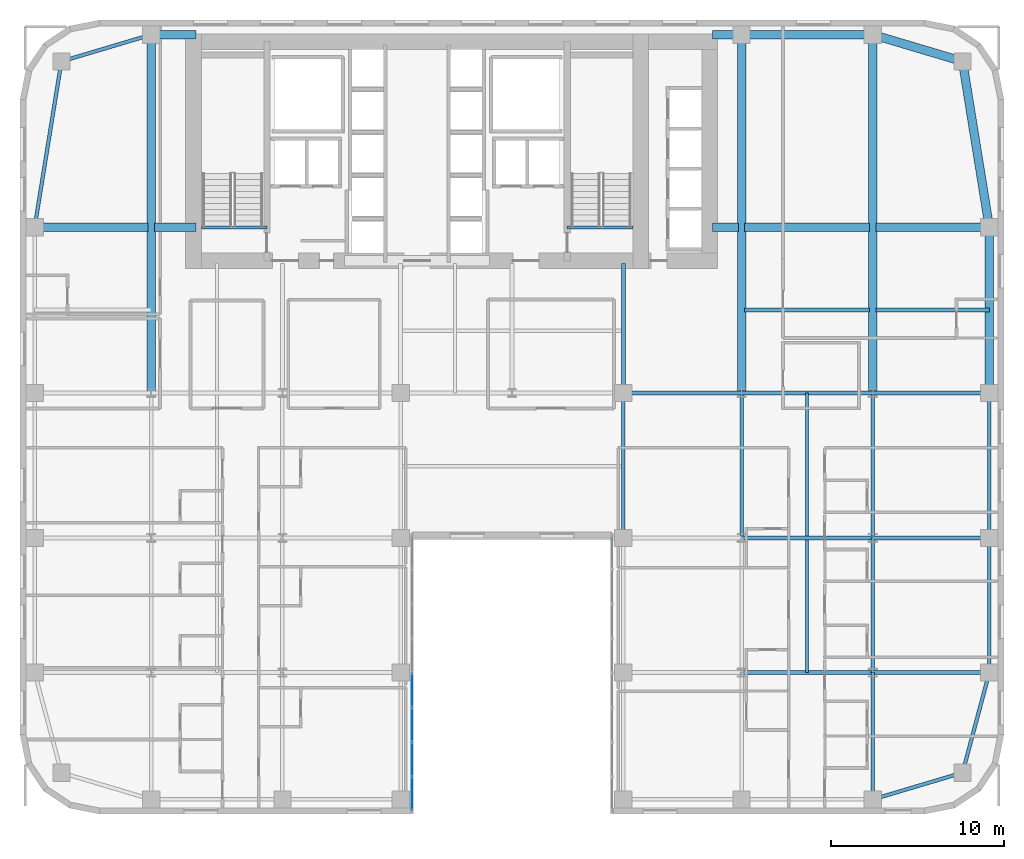
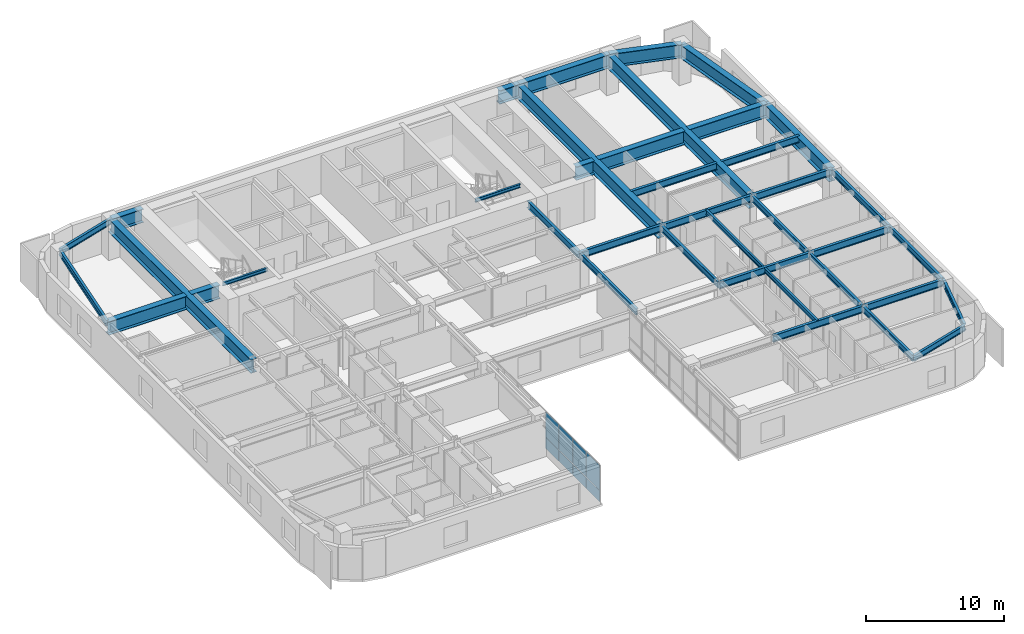
# One storey, part 8 of 17: 39 beams, 8 plates, 1 element without a shape of its own.
"""IFC4 building model written with IfcOpenShell, lengths in metres."""

import ifcopenshell
import ifcopenshell.guid

model = None  # the IFC model being written
_history = None  # IfcOwnerHistory: only IFC2X3 demands one
_inside = {}  # id of a spatial element -> (the spatial element, [elements in it])
_under = {}  # id of a project, library or spatial element -> (it, [spatial elements below it])
_declared = {}  # id of a project -> (the project, [libraries it declares])
_typed = {}  # id of a type object -> (the type object, [elements of that type])
_made_of = {}  # id of a material, layer set ... -> (it, [elements and type objects made of it])


def new_model(schema):
    """Start an empty IFC model of exactly this schema.

    Asked for "IFC4X3", IfcOpenShell would pick the latest addendum, in which some entities
    have other attributes; the version numbers below select the first issue.
    IFC2X3 requires an IfcOwnerHistory on every rooted entity: one is made here for all.
    """
    global model, _history
    if schema == "IFC4X3":
        model = ifcopenshell.file(schema_version=(4, 3, 0, 0))
    else:
        model = ifcopenshell.file(schema=schema)
    _inside.clear()
    _under.clear()
    _declared.clear()
    _typed.clear()
    _made_of.clear()
    _history = None
    if model.schema == "IFC2X3":
        org = make("IfcOrganization", Name="unknown")
        user = make(
            "IfcPersonAndOrganization",
            ThePerson=make("IfcPerson", FamilyName="unknown"),
            TheOrganization=org,
        )
        app = make(
            "IfcApplication",
            ApplicationDeveloper=org,
            Version="unknown",
            ApplicationFullName="unknown",
            ApplicationIdentifier="unknown",
        )
        _history = make(
            "IfcOwnerHistory",
            OwningUser=user,
            OwningApplication=app,
            ChangeAction="ADDED",
            CreationDate=0,
        )
    return model


def make(cls, **values):
    """One entity of the class cls with the attributes given. An attribute that is None is left unset."""
    return model.create_entity(
        cls, **{name: value for name, value in values.items() if value is not None}
    )


def rooted(cls, **values):
    """An entity with a GlobalId (a new one), such as an element, a storey or a relation."""
    return make(cls, GlobalId=ifcopenshell.guid.new(), OwnerHistory=_history, **values)


def si_unit(unit_type, name, prefix=None):
    """IfcSIUnit, for example si_unit("LENGTHUNIT", "METRE", prefix="MILLI")."""
    return make("IfcSIUnit", UnitType=unit_type, Prefix=prefix, Name=name)


def assignment(units):
    """IfcUnitAssignment: the units of a project."""
    return None if units is None else make("IfcUnitAssignment", Units=units)


def point(xyz):
    """IfcCartesianPoint."""
    return None if xyz is None else make("IfcCartesianPoint", Coordinates=xyz)


def direction(xyz):
    """IfcDirection."""
    return None if xyz is None else make("IfcDirection", DirectionRatios=xyz)


def frame(location, z_axis=None, x_axis=None):
    """IfcAxis2Placement3D, a coordinate frame: its origin and axes. An axis left out is left unset."""
    return make(
        "IfcAxis2Placement3D",
        Location=point(location),
        Axis=direction(z_axis),
        RefDirection=direction(x_axis),
    )


def frame_2d(location, x_axis=None):
    """IfcAxis2Placement2D, a coordinate frame in the plane: its origin and x axis."""
    return make(
        "IfcAxis2Placement2D", Location=point(location), RefDirection=direction(x_axis)
    )


def origin():
    """The frame at (0, 0, 0) with its axes left unset."""
    return frame((0.0, 0.0, 0.0))


def origin_2d():
    """The frame at (0, 0) in the plane with its x axis left unset."""
    return frame_2d((0.0, 0.0))


def place(relative_to, where):
    """IfcLocalPlacement: puts the frame where relative to a parent placement (None: the world)."""
    return make(
        "IfcLocalPlacement", PlacementRelTo=relative_to, RelativePlacement=where
    )


def context(
    kind, dimensions, precision=None, world=None, true_north=None, identifier=None
):
    """IfcGeometricRepresentationContext, for example the 3D "Model" context."""
    return make(
        "IfcGeometricRepresentationContext",
        ContextIdentifier=identifier,
        ContextType=kind,
        CoordinateSpaceDimension=dimensions,
        Precision=precision,
        WorldCoordinateSystem=world,
        TrueNorth=true_north,
    )


def subcontext(parent, identifier, kind, view, scale=None):
    """IfcGeometricRepresentationSubContext, for example "Body" below "Model"."""
    return make(
        "IfcGeometricRepresentationSubContext",
        ContextIdentifier=identifier,
        ContextType=kind,
        ParentContext=parent,
        TargetScale=scale,
        TargetView=view,
    )


def project(units=None, contexts=None):
    """IfcProject with its units and contexts."""
    return rooted(
        "IfcProject",
        Name="project",
        RepresentationContexts=contexts,
        UnitsInContext=assignment(units),
    )


def spatial(cls, under=None, at=None, **own):
    """A site, building, storey or space (cls), placed at a placement, below another one or the project."""
    s = rooted(cls, ObjectPlacement=at, **own)
    if under is not None:
        _under.setdefault(under.id(), (under, []))[1].append(s)
    return s


def profile(cls, at=None, kind="AREA", **sizes):
    """A parametric profile (cls). Its sizes go by their IFC names, for example OverallWidth=200.0."""
    return make(cls, ProfileType=kind, Position=at, **sizes)


def rectangle(**sizes):
    """IfcRectangleProfileDef."""
    return profile("IfcRectangleProfileDef", **sizes)


def i_section(**sizes):
    """IfcIShapeProfileDef."""
    return profile("IfcIShapeProfileDef", **sizes)


def extrude(swept, where, along, depth):
    """IfcExtrudedAreaSolid: the profile swept, set in the frame where, extruded along a direction by depth."""
    return make(
        "IfcExtrudedAreaSolid",
        SweptArea=swept,
        Position=where,
        ExtrudedDirection=direction(along),
        Depth=depth,
    )


def shape(context_of_items, identifier, shape_type, items):
    """IfcShapeRepresentation: the items that make up one representation, for example the "Body"."""
    return make(
        "IfcShapeRepresentation",
        ContextOfItems=context_of_items,
        RepresentationIdentifier=identifier,
        RepresentationType=shape_type,
        Items=items,
    )


def source(mapping_origin, context_of_items, identifier, shape_type, items):
    """IfcRepresentationMap: a shape defined once, which mapped items show again and again."""
    return make(
        "IfcRepresentationMap",
        MappingOrigin=mapping_origin,
        MappedRepresentation=shape(context_of_items, identifier, shape_type, items),
    )


def transform(
    local_origin,
    x_axis=None,
    y_axis=None,
    z_axis=None,
    scale=None,
    scale2=None,
    scale3=None,
    uniform=True,
):
    """IfcCartesianTransformationOperator3D, or its non-uniform kind. x_axis, y_axis, z_axis: its Axis1, 2, 3."""
    if uniform:
        return make(
            "IfcCartesianTransformationOperator3D",
            Axis1=direction(x_axis),
            Axis2=direction(y_axis),
            LocalOrigin=point(local_origin),
            Scale=scale,
            Axis3=direction(z_axis),
        )
    return make(
        "IfcCartesianTransformationOperator3DnonUniform",
        Axis1=direction(x_axis),
        Axis2=direction(y_axis),
        LocalOrigin=point(local_origin),
        Scale=scale,
        Axis3=direction(z_axis),
        Scale2=scale2,
        Scale3=scale3,
    )


def mapped(mapping_source, mapping_target):
    """IfcMappedItem: shows the shape of a source again, moved by a transform."""
    return make(
        "IfcMappedItem", MappingSource=mapping_source, MappingTarget=mapping_target
    )


def material(Name=None, Category=None):
    """IfcMaterial."""
    return make("IfcMaterial", Name=Name, Category=Category)


def layer(
    of_material, thickness, ventilated=None, Name=None, Category=None, Priority=None
):
    """IfcMaterialLayer: one layer of a wall or slab, of a material (None: an air gap)."""
    return make(
        "IfcMaterialLayer",
        Material=of_material,
        LayerThickness=thickness,
        IsVentilated=ventilated,
        Name=Name,
        Category=Category,
        Priority=Priority,
    )


def layer_set(layers, Name=None):
    """IfcMaterialLayerSet."""
    return make("IfcMaterialLayerSet", MaterialLayers=layers, LayerSetName=Name)


def material_profile(
    of_material, cross_section, Name=None, Category=None, Priority=None
):
    """IfcMaterialProfile: a cross section and its material."""
    return make(
        "IfcMaterialProfile",
        Name=Name,
        Material=of_material,
        Profile=cross_section,
        Priority=Priority,
        Category=Category,
    )


def profile_set(profiles, Name=None, composite=None):
    """IfcMaterialProfileSet."""
    return make(
        "IfcMaterialProfileSet",
        Name=Name,
        MaterialProfiles=profiles,
        CompositeProfile=composite,
    )


def made_of(thing, what):
    """Note that an element or type object is made of a material, layer set ...; save() writes the relation."""
    if what is not None:
        _made_of.setdefault(what.id(), (what, []))[1].append(thing)
    return thing


def type_object(cls, material=None, **own):
    """A type object (cls), such as IfcWallType, which elements share."""
    return made_of(rooted(cls, **own), material)


def type_shapes(of_type, sources):
    """Give a type object the sources (RepresentationMaps) that its elements show as mapped items."""
    of_type.RepresentationMaps = sources


def element(
    cls,
    number,
    at=None,
    inside=None,
    cuts=None,
    type_object=None,
    material=None,
    context=None,
    identifier="Body",
    shape_type=None,
    held_by="IfcProductDefinitionShape",
    body=None,
    shapes=None,
    **own,
):
    """One element of the class cls, such as IfcWall. Its Tag is "e" and its number.

    at: its placement. inside: the storey or other place that contains it. cuts: it is an
    opening in that element (IfcRelVoidsElement). A single representation is given by context,
    identifier, shape_type and body (its items); several are given by shapes. held_by: the class
    of the entity that holds the representations. save() writes the other relations.
    """
    e = rooted(cls, Tag="e%d" % number, ObjectPlacement=at, **own)
    if body is not None:
        shapes = [shape(context, identifier, shape_type, body)]
    if shapes is not None:
        e.Representation = make(held_by, Representations=shapes)
    if inside is not None:
        _inside.setdefault(inside.id(), (inside, []))[1].append(e)
    if cuts is not None:
        rooted(
            "IfcRelVoidsElement", RelatingBuildingElement=cuts, RelatedOpeningElement=e
        )
    if type_object is not None:
        _typed.setdefault(type_object.id(), (type_object, []))[1].append(e)
    return made_of(e, material)


def aggregate(whole, parts):
    """IfcRelAggregates: a whole, such as a stair, and the parts it consists of."""
    return rooted("IfcRelAggregates", RelatingObject=whole, RelatedObjects=parts)


def save(model, path):
    """Write the relations noted so far, then the file.

    IfcRelAggregates (storeys below a building ...), IfcRelContainedInSpatialStructure (elements
    in a storey), IfcRelDefinesByType, IfcRelAssociatesMaterial and IfcRelDeclares: one each for
    every whole, place, type object, material and project.
    """
    for whole, parts in _under.values():
        aggregate(whole, parts)
    for where, things in _inside.values():
        rooted(
            "IfcRelContainedInSpatialStructure",
            RelatedElements=things,
            RelatingStructure=where,
        )
    for kind, things in _typed.values():
        rooted("IfcRelDefinesByType", RelatedObjects=things, RelatingType=kind)
    for what, things in _made_of.values():
        rooted("IfcRelAssociatesMaterial", RelatedObjects=things, RelatingMaterial=what)
    for by, libraries in _declared.values():
        rooted("IfcRelDeclares", RelatingContext=by, RelatedDefinitions=libraries)
    model.write(path)


model = new_model("IFC4")

# Units and contexts
model_context = context("Model", 3, precision=1e-05, world=origin(), true_north=direction((0.0, 1.0)))
body_context = subcontext(model_context, "Body", "Model", "MODEL_VIEW")
ifc_project = project(units=[si_unit("LENGTHUNIT", "METRE"), si_unit("AREAUNIT", "SQUARE_METRE"), si_unit("VOLUMEUNIT", "CUBIC_METRE"), si_unit("PLANEANGLEUNIT", "RADIAN"), si_unit("MASSUNIT", "GRAM", prefix="KILO")], contexts=[model_context])

# Site, building, storey
site_placement = place(None, origin())
site = spatial("IfcSite", under=ifc_project, at=site_placement, CompositionType="ELEMENT")
building_placement = place(site_placement, origin())
building = spatial("IfcBuilding", under=site, at=building_placement, Name="Tolvann Quenvar Hotel", CompositionType="ELEMENT")
storey_placement = place(building_placement, frame((0.0, 0.0, 35.550048828125)))
storey = spatial("IfcBuildingStorey", under=building, at=storey_placement, Name="L07", CompositionType="ELEMENT", Elevation=35.550048828125)

# Beams
ifc_material_1 = material(Name="Steel Grade 350", Category="steel")
ifc_material_profile_1 = material_profile(ifc_material_1, i_section(OverallWidth=0.5, OverallDepth=1.199951171875, WebThickness=0.01611328125, FlangeThickness=0.0400390625, at=origin_2d()), Name="1200WB455")
ifc_profile_set_1 = profile_set([ifc_material_profile_1], Name="Steel Grade 350")
beam_type_1 = type_object("IfcBeamType", Name="BM_TG_1200WB455", PredefinedType="USERDEFINED", material=ifc_profile_set_1)
shared_shape_1 = source(origin(), body_context, "Body", "SweptSolid", [
    extrude(i_section(OverallWidth=0.5, OverallDepth=1.199951171875, WebThickness=0.01611328125, FlangeThickness=0.0400390625, at=origin_2d()), origin(), (0.0, 0.0, 1.0), 7.599853515625),
])
beam_1_placement = place(storey_placement, frame((49.39990234375, 45.14990234375, 2.77001953125), z_axis=(-1.0, 0.0, 0.0), x_axis=(0.0, -1.0, 0.0)))
element("IfcBeam", 1, at=beam_1_placement, inside=storey, type_object=beam_type_1, Name="BM-L07-FLK-E4", ObjectType="TRANSFER GIRDER", PredefinedType="USERDEFINED", context=body_context, shape_type="MappedRepresentation", body=[
    mapped(shared_shape_1, transform((0.0, 0.0, 0.0), x_axis=(1.0, 0.0, 0.0), y_axis=(0.0, 1.0, 0.0), z_axis=(0.0, 0.0, 1.0), scale=1.0)),
])
shared_shape_2 = source(origin(), body_context, "Body", "SweptSolid", [
    extrude(i_section(OverallWidth=0.5, OverallDepth=1.199951171875, WebThickness=0.01611328125, FlangeThickness=0.0400390625, at=origin_2d()), origin(), (0.0, 0.0, 1.0), 9.60009765625),
])
beam_2_placement = place(storey_placement, frame((56.14990234375, 24.39990234375, 2.77001953125), z_axis=(0.0, 1.0, 0.0), x_axis=(-1.0, 0.0, 0.0)))
element("IfcBeam", 2, at=beam_2_placement, inside=storey, type_object=beam_type_1, Name="BM-L07-FLK-E1", ObjectType="TRANSFER GIRDER", PredefinedType="USERDEFINED", context=body_context, shape_type="MappedRepresentation", body=[
    mapped(shared_shape_2, transform((0.0, 0.0, 0.0), x_axis=(1.0, 0.0, 0.0), y_axis=(0.0, 1.0, 0.0), z_axis=(0.0, 0.0, 1.0), scale=1.0)),
])
ifc_material_profile_2 = material_profile(ifc_material_1, i_section(OverallWidth=0.208984375, OverallDepth=0.528076171875, WebThickness=0.009521484375, FlangeThickness=0.01318359375, FilletRadius=0.013916015625, at=origin_2d()), Name="530UB82")
ifc_profile_set_2 = profile_set([ifc_material_profile_2], Name="Steel Grade 350")
beam_type_2 = type_object("IfcBeamType", Name="BM_SPAND_530UB82", PredefinedType="SPANDREL", material=ifc_profile_set_2)
shared_shape_3 = source(origin(), body_context, "Body", "SweptSolid", [
    extrude(i_section(OverallWidth=0.208984375, OverallDepth=0.528076171875, WebThickness=0.009521484375, FlangeThickness=0.01318359375, FilletRadius=0.013916015625, at=origin_2d()), origin(), (0.0, 0.0, 1.0), 5.42626953125),
])
for number, where, z_axis, x_axis, name in (
    (3, (49.39990234375, 0.85009765625, 3.10595703125), (0.958344815522, 0.285613750654, 0.0), (-0.285613750654, 0.958344815522, 0.0), "BM-L07-EW-2-I2-J2"),
    (4, (2.39990234375, 43.60009765625, 3.10595703125), (0.958344815522, 0.285613750654, 0.0), (-0.285613750654, 0.958344815522, 0.0), "BM-L07-FLK-W3"),
):
    element("IfcBeam", number, at=place(storey_placement, frame(where, z_axis=z_axis, x_axis=x_axis)), inside=storey, type_object=beam_type_2, Name=name, PredefinedType="SPANDREL", context=body_context, shape_type="MappedRepresentation", body=[
        mapped(shared_shape_3, transform((0.0, 0.0, 0.0), x_axis=(1.0, 0.0, 0.0), y_axis=(0.0, 1.0, 0.0), z_axis=(0.0, 0.0, 1.0), scale=1.0)),
    ])
ifc_material_profile_3 = material_profile(ifc_material_1, i_section(OverallWidth=0.22900390625, OverallDepth=0.612060546875, WebThickness=0.011962890625, FlangeThickness=0.01953125, FilletRadius=0.013916015625, at=origin_2d()), Name="610UB125")
ifc_profile_set_3 = profile_set([ifc_material_profile_3], Name="Steel Grade 350")
beam_type_3 = type_object("IfcBeamType", Name="BM_GIRD_610UB125", PredefinedType="BEAM", material=ifc_profile_set_3)
shared_shape_4 = source(origin(), body_context, "Body", "SweptSolid", [
    extrude(i_section(OverallWidth=0.22900390625, OverallDepth=0.612060546875, WebThickness=0.011962890625, FlangeThickness=0.01953125, FilletRadius=0.013916015625, at=origin_2d()), origin(), (0.0, 0.0, 1.0), 6.75),
])
for number, where, z_axis, x_axis, name in (
    (5, (49.39990234375, 8.199951171875, 3.06396484375), (1.0, 0.0, 0.0), (0.0, 1.0, 0.0), "BM-L07-EW-3-I3-J3"),
    (6, (49.39990234375, 16.0, 3.06396484375), (1.0, 0.0, 0.0), (0.0, 1.0, 0.0), "BM-L07-EW-4-I4-J4"),
    (7, (49.39990234375, 24.39990234375, 3.06396484375), (1.0, 0.0, 0.0), (0.0, 1.0, 0.0), "BM-L07-EW-5-I5-J5"),
):
    element("IfcBeam", number, at=place(storey_placement, frame(where, z_axis=z_axis, x_axis=x_axis)), inside=storey, type_object=beam_type_3, Name=name, PredefinedType="BEAM", context=body_context, shape_type="MappedRepresentation", body=[
        mapped(shared_shape_4, transform((0.0, 0.0, 0.0), x_axis=(1.0, 0.0, 0.0), y_axis=(0.0, 1.0, 0.0), z_axis=(0.0, 0.0, 1.0), scale=1.0)),
    ])
shared_shape_5 = source(origin(), body_context, "Body", "SweptSolid", [
    extrude(i_section(OverallWidth=0.22900390625, OverallDepth=0.612060546875, WebThickness=0.011962890625, FlangeThickness=0.01953125, FilletRadius=0.013916015625, at=origin_2d()), origin(), (0.0, 0.0, 1.0), 7.599853515625),
])
for number, where, z_axis, x_axis, name in (
    (8, (41.800048828125, 8.199951171875, 3.06396484375), (1.0, 0.0, 0.0), (0.0, 1.0, 0.0), "BM-L07-EW-3-H3-I3"),
    (9, (41.800048828125, 16.0, 3.06396484375), (1.0, 0.0, 0.0), (0.0, 1.0, 0.0), "BM-L07-EW-4-H4-I4"),
    (10, (41.800048828125, 24.39990234375, 3.06396484375), (1.0, 0.0, 0.0), (0.0, 1.0, 0.0), "BM-L07-EW-5-H5-I5"),
):
    element("IfcBeam", number, at=place(storey_placement, frame(where, z_axis=z_axis, x_axis=x_axis)), inside=storey, type_object=beam_type_3, Name=name, PredefinedType="BEAM", context=body_context, shape_type="MappedRepresentation", body=[
        mapped(shared_shape_5, transform((0.0, 0.0, 0.0), x_axis=(1.0, 0.0, 0.0), y_axis=(0.0, 1.0, 0.0), z_axis=(0.0, 0.0, 1.0), scale=1.0)),
    ])
shared_shape_6 = source(origin(), body_context, "Body", "SweptSolid", [
    extrude(i_section(OverallWidth=0.22900390625, OverallDepth=0.612060546875, WebThickness=0.011962890625, FlangeThickness=0.01953125, FilletRadius=0.013916015625, at=origin_2d()), origin(), (0.0, 0.0, 1.0), 6.85009765625),
])
beam_3_placement = place(storey_placement, frame((34.949951171875, 24.39990234375, 3.06396484375), z_axis=(1.0, 0.0, 0.0), x_axis=(0.0, 1.0, 0.0)))
element("IfcBeam", 11, at=beam_3_placement, inside=storey, type_object=beam_type_3, Name="BM-L07-EW-5-F5-H5", PredefinedType="BEAM", context=body_context, shape_type="MappedRepresentation", body=[
    mapped(shared_shape_6, transform((0.0, 0.0, 0.0), x_axis=(1.0, 0.0, 0.0), y_axis=(0.0, 1.0, 0.0), z_axis=(0.0, 0.0, 1.0), scale=1.0)),
])
shared_shape_7 = source(origin(), body_context, "Body", "SweptSolid", [
    extrude(i_section(OverallWidth=0.208984375, OverallDepth=0.528076171875, WebThickness=0.009521484375, FlangeThickness=0.01318359375, FilletRadius=0.013916015625, at=origin_2d()), origin(), (0.0, 0.0, 1.0), 6.00341796875),
])
beam_4_placement = place(storey_placement, frame((54.60009765625, 2.39990234375, 3.10595703125), z_axis=(0.258148586649, 0.966105225745, 0.0), x_axis=(-0.966105225745, 0.258148586649, 0.0)))
element("IfcBeam", 12, at=beam_4_placement, inside=storey, type_object=beam_type_2, Name="BM-L07-NS-J2-J3", PredefinedType="SPANDREL", context=body_context, shape_type="MappedRepresentation", body=[
    mapped(shared_shape_7, transform((0.0, 0.0, 0.0), x_axis=(1.0, 0.0, 0.0), y_axis=(0.0, 1.0, 0.0), z_axis=(0.0, 0.0, 1.0), scale=1.0)),
])
shared_shape_8 = source(origin(), body_context, "Body", "SweptSolid", [
    extrude(i_section(OverallWidth=0.208984375, OverallDepth=0.528076171875, WebThickness=0.009521484375, FlangeThickness=0.01318359375, FilletRadius=0.013916015625, at=origin_2d()), origin(), (0.0, 0.0, 1.0), 7.800048828125),
])
beam_5_placement = place(storey_placement, frame((56.14990234375, 8.199951171875, 3.10595703125), z_axis=(0.0, 1.0, 0.0), x_axis=(-1.0, 0.0, 0.0)))
element("IfcBeam", 13, at=beam_5_placement, inside=storey, type_object=beam_type_2, Name="BM-L07-NS-J3-J4", PredefinedType="SPANDREL", context=body_context, shape_type="MappedRepresentation", body=[
    mapped(shared_shape_8, transform((0.0, 0.0, 0.0), x_axis=(1.0, 0.0, 0.0), y_axis=(0.0, 1.0, 0.0), z_axis=(0.0, 0.0, 1.0), scale=1.0)),
])
shared_shape_9 = source(origin(), body_context, "Body", "SweptSolid", [
    extrude(i_section(OverallWidth=0.208984375, OverallDepth=0.528076171875, WebThickness=0.009521484375, FlangeThickness=0.01318359375, FilletRadius=0.013916015625, at=origin_2d()), origin(), (0.0, 0.0, 1.0), 8.39990234375),
])
beam_6_placement = place(storey_placement, frame((56.14990234375, 16.0, 3.10595703125), z_axis=(0.0, 1.0, 0.0), x_axis=(-1.0, 0.0, 0.0)))
element("IfcBeam", 14, at=beam_6_placement, inside=storey, type_object=beam_type_2, Name="BM-L07-NS-J4-J5", PredefinedType="SPANDREL", context=body_context, shape_type="MappedRepresentation", body=[
    mapped(shared_shape_9, transform((0.0, 0.0, 0.0), x_axis=(1.0, 0.0, 0.0), y_axis=(0.0, 1.0, 0.0), z_axis=(0.0, 0.0, 1.0), scale=1.0)),
])
ifc_material_profile_4 = material_profile(ifc_material_1, i_section(OverallWidth=0.208984375, OverallDepth=0.532958984375, WebThickness=0.01025390625, FlangeThickness=0.015625, FilletRadius=0.013916015625, at=origin_2d()), Name="530UB92")
ifc_profile_set_4 = profile_set([ifc_material_profile_4], Name="Steel Grade 350")
beam_type_4 = type_object("IfcBeamType", Name="BM_GIRD_530UB92", PredefinedType="BEAM", material=ifc_profile_set_4)
shared_shape_10 = source(origin(), body_context, "Body", "SweptSolid", [
    extrude(i_section(OverallWidth=0.208984375, OverallDepth=0.532958984375, WebThickness=0.01025390625, FlangeThickness=0.015625, FilletRadius=0.013916015625, at=origin_2d()), origin(), (0.0, 0.0, 1.0), 7.349853515625),
])
beam_7_placement = place(storey_placement, frame((49.39990234375, 0.85009765625, 3.103515625), z_axis=(0.0, 1.0, 0.0), x_axis=(-1.0, 0.0, 0.0)))
element("IfcBeam", 15, at=beam_7_placement, inside=storey, type_object=beam_type_4, Name="BM-L07-NS-I2-I3", PredefinedType="BEAM", context=body_context, shape_type="MappedRepresentation", body=[
    mapped(shared_shape_10, transform((0.0, 0.0, 0.0), x_axis=(1.0, 0.0, 0.0), y_axis=(0.0, 1.0, 0.0), z_axis=(0.0, 0.0, 1.0), scale=1.0)),
])
shared_shape_11 = source(origin(), body_context, "Body", "SweptSolid", [
    extrude(i_section(OverallWidth=0.208984375, OverallDepth=0.532958984375, WebThickness=0.01025390625, FlangeThickness=0.015625, FilletRadius=0.013916015625, at=origin_2d()), origin(), (0.0, 0.0, 1.0), 7.800048828125),
])
beam_8_placement = place(storey_placement, frame((49.39990234375, 8.199951171875, 3.103515625), z_axis=(0.0, 1.0, 0.0), x_axis=(-1.0, 0.0, 0.0)))
element("IfcBeam", 16, at=beam_8_placement, inside=storey, type_object=beam_type_4, Name="BM-L07-NS-I3-I4", PredefinedType="BEAM", context=body_context, shape_type="MappedRepresentation", body=[
    mapped(shared_shape_11, transform((0.0, 0.0, 0.0), x_axis=(1.0, 0.0, 0.0), y_axis=(0.0, 1.0, 0.0), z_axis=(0.0, 0.0, 1.0), scale=1.0)),
])
shared_shape_12 = source(origin(), body_context, "Body", "SweptSolid", [
    extrude(i_section(OverallWidth=0.208984375, OverallDepth=0.532958984375, WebThickness=0.01025390625, FlangeThickness=0.015625, FilletRadius=0.013916015625, at=origin_2d()), origin(), (0.0, 0.0, 1.0), 8.39990234375),
])
type_shapes(beam_type_4, [shared_shape_10, shared_shape_11, shared_shape_12])
for number, where, z_axis, x_axis, name in (
    (17, (34.949951171875, 16.0, 3.103515625), (0.0, 1.0, 0.0), (-1.0, 0.0, 0.0), "BM-L07-NS-F4-F5"),
    (18, (41.800048828125, 16.0, 3.103515625), (0.0, 1.0, 0.0), (-1.0, 0.0, 0.0), "BM-L07-NS-H4-H5"),
    (19, (49.39990234375, 16.0, 3.103515625), (0.0, 1.0, 0.0), (-1.0, 0.0, 0.0), "BM-L07-NS-I4-I5"),
):
    element("IfcBeam", number, at=place(storey_placement, frame(where, z_axis=z_axis, x_axis=x_axis)), inside=storey, type_object=beam_type_4, Name=name, PredefinedType="BEAM", context=body_context, shape_type="MappedRepresentation", body=[
        mapped(shared_shape_12, transform((0.0, 0.0, 0.0), x_axis=(1.0, 0.0, 0.0), y_axis=(0.0, 1.0, 0.0), z_axis=(0.0, 0.0, 1.0), scale=1.0)),
    ])
shared_shape_13 = source(origin(), body_context, "Body", "SweptSolid", [
    extrude(i_section(OverallWidth=0.22900390625, OverallDepth=0.612060546875, WebThickness=0.011962890625, FlangeThickness=0.01953125, FilletRadius=0.013916015625, at=origin_2d()), origin(), (0.0, 0.0, 1.0), 7.5),
])
beam_9_placement = place(storey_placement, frame((34.949951171875, 24.39990234375, 3.06396484375), z_axis=(0.0, 1.0, 0.0), x_axis=(-1.0, 0.0, 0.0)))
element("IfcBeam", 20, at=beam_9_placement, inside=storey, type_object=beam_type_3, Name="BM-L07-CORE-F5", PredefinedType="BEAM", context=body_context, shape_type="MappedRepresentation", body=[
    mapped(shared_shape_13, transform((0.0, 0.0, 0.0), x_axis=(1.0, 0.0, 0.0), y_axis=(0.0, 1.0, 0.0), z_axis=(0.0, 0.0, 1.0), scale=1.0)),
])
shared_shape_14 = source(origin(), body_context, "Body", "SweptSolid", [
    extrude(i_section(OverallWidth=0.208984375, OverallDepth=0.528076171875, WebThickness=0.009521484375, FlangeThickness=0.01318359375, FilletRadius=0.013916015625, at=origin_2d()), origin(), (0.0, 0.0, 1.0), 9.724365234375),
])
type_shapes(beam_type_2, [shared_shape_3, shared_shape_7, shared_shape_8, shared_shape_9, shared_shape_14])
beam_10_placement = place(storey_placement, frame((0.85009765625, 34.0, 3.10595703125), z_axis=(0.159372939192, 0.987218449105, 0.0), x_axis=(-0.987218449105, 0.159372939192, 0.0)))
element("IfcBeam", 21, at=beam_10_placement, inside=storey, type_object=beam_type_2, Name="BM-L07-FLK-W2", PredefinedType="SPANDREL", context=body_context, shape_type="MappedRepresentation", body=[
    mapped(shared_shape_14, transform((0.0, 0.0, 0.0), x_axis=(1.0, 0.0, 0.0), y_axis=(0.0, 1.0, 0.0), z_axis=(0.0, 0.0, 1.0), scale=1.0)),
])
shared_shape_15 = source(origin(), body_context, "Body", "SweptSolid", [
    extrude(i_section(OverallWidth=0.5, OverallDepth=1.199951171875, WebThickness=0.01611328125, FlangeThickness=0.0400390625, at=origin_2d()), origin(), (0.0, 0.0, 1.0), 20.75),
])
for number, where, z_axis, x_axis, name in (
    (22, (7.60009765625, 24.39990234375, 2.77001953125), (0.0, 1.0, 0.0), (-1.0, 0.0, 0.0), "BM-L07-FLK-WC"),
    (23, (41.800048828125, 24.39990234375, 2.77001953125), (0.0, 1.0, 0.0), (-1.0, 0.0, 0.0), "BM-L07-FLK-EH"),
    (24, (49.39990234375, 24.39990234375, 2.77001953125), (0.0, 1.0, 0.0), (-1.0, 0.0, 0.0), "BM-L07-FLK-EI"),
):
    element("IfcBeam", number, at=place(storey_placement, frame(where, z_axis=z_axis, x_axis=x_axis)), inside=storey, type_object=beam_type_1, Name=name, ObjectType="TRANSFER GIRDER", PredefinedType="USERDEFINED", context=body_context, shape_type="MappedRepresentation", body=[
        mapped(shared_shape_15, transform((0.0, 0.0, 0.0), x_axis=(1.0, 0.0, 0.0), y_axis=(0.0, 1.0, 0.0), z_axis=(0.0, 0.0, 1.0), scale=1.0)),
    ])
shared_shape_16 = source(origin(), body_context, "Body", "SweptSolid", [
    extrude(i_section(OverallWidth=0.5, OverallDepth=1.199951171875, WebThickness=0.01611328125, FlangeThickness=0.0400390625, at=origin_2d()), origin(), (0.0, 0.0, 1.0), 6.56982421875),
])
for number, where, z_axis, x_axis, name in (
    (25, (0.85009765625, 34.0, 2.77001953125), (1.0, 0.0, 0.0), (0.0, 1.0, 0.0), "BM-L07-CTW-MID1"),
    (26, (49.580078125, 34.0, 2.77001953125), (1.0, 0.0, 0.0), (0.0, 1.0, 0.0), "BM-L07-CTE-JD6C"),
):
    element("IfcBeam", number, at=place(storey_placement, frame(where, z_axis=z_axis, x_axis=x_axis)), inside=storey, type_object=beam_type_1, Name=name, ObjectType="TRANSFER GIRDER", PredefinedType="USERDEFINED", context=body_context, shape_type="MappedRepresentation", body=[
        mapped(shared_shape_16, transform((0.0, 0.0, 0.0), x_axis=(1.0, 0.0, 0.0), y_axis=(0.0, 1.0, 0.0), z_axis=(0.0, 0.0, 1.0), scale=1.0)),
    ])
shared_shape_17 = source(origin(), body_context, "Body", "SweptSolid", [
    extrude(i_section(OverallWidth=0.5, OverallDepth=1.199951171875, WebThickness=0.01611328125, FlangeThickness=0.0400390625, at=origin_2d()), origin(), (0.0, 0.0, 1.0), 2.419921875),
])
beam_11_placement = place(storey_placement, frame((7.780029296875, 34.0, 2.77001953125), z_axis=(1.0, 0.0, 0.0), x_axis=(0.0, 1.0, 0.0)))
element("IfcBeam", 27, at=beam_11_placement, inside=storey, type_object=beam_type_1, Name="BM-L07-CTW-MID2", ObjectType="TRANSFER GIRDER", PredefinedType="USERDEFINED", context=body_context, shape_type="MappedRepresentation", body=[
    mapped(shared_shape_17, transform((0.0, 0.0, 0.0), x_axis=(1.0, 0.0, 0.0), y_axis=(0.0, 1.0, 0.0), z_axis=(0.0, 0.0, 1.0), scale=1.0)),
])
shared_shape_18 = source(origin(), body_context, "Body", "SweptSolid", [
    extrude(i_section(OverallWidth=0.5, OverallDepth=1.199951171875, WebThickness=0.01611328125, FlangeThickness=0.0400390625, at=origin_2d()), origin(), (0.0, 0.0, 1.0), 2.599853515625),
])
beam_12_placement = place(storey_placement, frame((7.60009765625, 45.14990234375, 2.77001953125), z_axis=(1.0, 0.0, 0.0), x_axis=(0.0, 1.0, 0.0)))
element("IfcBeam", 28, at=beam_12_placement, inside=storey, type_object=beam_type_1, Name="BM-L07-CTW-CN", ObjectType="TRANSFER GIRDER", PredefinedType="USERDEFINED", context=body_context, shape_type="MappedRepresentation", body=[
    mapped(shared_shape_18, transform((0.0, 0.0, 0.0), x_axis=(1.0, 0.0, 0.0), y_axis=(0.0, 1.0, 0.0), z_axis=(0.0, 0.0, 1.0), scale=1.0)),
])
shared_shape_19 = source(origin(), body_context, "Body", "SweptSolid", [
    extrude(i_section(OverallWidth=0.5, OverallDepth=1.199951171875, WebThickness=0.01611328125, FlangeThickness=0.0400390625, at=origin_2d()), origin(), (0.0, 0.0, 1.0), 9.724365234375),
])
beam_13_placement = place(storey_placement, frame((56.14990234375, 34.0, 2.77001953125), z_axis=(-0.159372939192, 0.987218449105, 0.0), x_axis=(-0.987218449105, -0.159372939192, 0.0)))
element("IfcBeam", 29, at=beam_13_placement, inside=storey, type_object=beam_type_1, Name="BM-L07-FLK-E2", ObjectType="TRANSFER GIRDER", PredefinedType="USERDEFINED", context=body_context, shape_type="MappedRepresentation", body=[
    mapped(shared_shape_19, transform((0.0, 0.0, 0.0), x_axis=(1.0, 0.0, 0.0), y_axis=(0.0, 1.0, 0.0), z_axis=(0.0, 0.0, 1.0), scale=1.0)),
])
shared_shape_20 = source(origin(), body_context, "Body", "SweptSolid", [
    extrude(i_section(OverallWidth=0.5, OverallDepth=1.199951171875, WebThickness=0.01611328125, FlangeThickness=0.0400390625, at=origin_2d()), origin(), (0.0, 0.0, 1.0), 5.42626953125),
])
beam_14_placement = place(storey_placement, frame((54.60009765625, 43.60009765625, 2.77001953125), z_axis=(-0.958344815522, 0.285613750654, 0.0), x_axis=(-0.285613750654, -0.958344815522, 0.0)))
element("IfcBeam", 30, at=beam_14_placement, inside=storey, type_object=beam_type_1, Name="BM-L07-FLK-E3", ObjectType="TRANSFER GIRDER", PredefinedType="USERDEFINED", context=body_context, shape_type="MappedRepresentation", body=[
    mapped(shared_shape_20, transform((0.0, 0.0, 0.0), x_axis=(1.0, 0.0, 0.0), y_axis=(0.0, 1.0, 0.0), z_axis=(0.0, 0.0, 1.0), scale=1.0)),
])
shared_shape_21 = source(origin(), body_context, "Body", "SweptSolid", [
    extrude(i_section(OverallWidth=0.5, OverallDepth=1.199951171875, WebThickness=0.01611328125, FlangeThickness=0.0400390625, at=origin_2d()), origin(), (0.0, 0.0, 1.0), 1.699951171875),
])
beam_15_placement = place(storey_placement, frame((40.10009765625, 45.14990234375, 2.77001953125), z_axis=(1.0, 0.0, 0.0), x_axis=(0.0, 1.0, 0.0)))
element("IfcBeam", 31, at=beam_15_placement, inside=storey, type_object=beam_type_1, Name="BM-L07-CTE-HN", ObjectType="TRANSFER GIRDER", PredefinedType="USERDEFINED", context=body_context, shape_type="MappedRepresentation", body=[
    mapped(shared_shape_21, transform((0.0, 0.0, 0.0), x_axis=(1.0, 0.0, 0.0), y_axis=(0.0, 1.0, 0.0), z_axis=(0.0, 0.0, 1.0), scale=1.0)),
])
shared_shape_22 = source(origin(), body_context, "Body", "SweptSolid", [
    extrude(i_section(OverallWidth=0.5, OverallDepth=1.199951171875, WebThickness=0.01611328125, FlangeThickness=0.0400390625, at=origin_2d()), origin(), (0.0, 0.0, 1.0), 1.52001953125),
])
beam_16_placement = place(storey_placement, frame((40.10009765625, 34.0, 2.77001953125), z_axis=(1.0, 0.0, 0.0), x_axis=(0.0, 1.0, 0.0)))
element("IfcBeam", 32, at=beam_16_placement, inside=storey, type_object=beam_type_1, Name="BM-L07-CTE-JD6A", ObjectType="TRANSFER GIRDER", PredefinedType="USERDEFINED", context=body_context, shape_type="MappedRepresentation", body=[
    mapped(shared_shape_22, transform((0.0, 0.0, 0.0), x_axis=(1.0, 0.0, 0.0), y_axis=(0.0, 1.0, 0.0), z_axis=(0.0, 0.0, 1.0), scale=1.0)),
])
shared_shape_23 = source(origin(), body_context, "Body", "SweptSolid", [
    extrude(i_section(OverallWidth=0.5, OverallDepth=1.199951171875, WebThickness=0.01611328125, FlangeThickness=0.0400390625, at=origin_2d()), origin(), (0.0, 0.0, 1.0), 7.239990234375),
])
type_shapes(beam_type_1, [shared_shape_1, shared_shape_2, shared_shape_15, shared_shape_16, shared_shape_17, shared_shape_18, shared_shape_19, shared_shape_20, shared_shape_21, shared_shape_22, shared_shape_23])
beam_17_placement = place(storey_placement, frame((41.97998046875, 34.0, 2.77001953125), z_axis=(1.0, 0.0, 0.0), x_axis=(0.0, 1.0, 0.0)))
element("IfcBeam", 33, at=beam_17_placement, inside=storey, type_object=beam_type_1, Name="BM-L07-CTE-JD6B", ObjectType="TRANSFER GIRDER", PredefinedType="USERDEFINED", context=body_context, shape_type="MappedRepresentation", body=[
    mapped(shared_shape_23, transform((0.0, 0.0, 0.0), x_axis=(1.0, 0.0, 0.0), y_axis=(0.0, 1.0, 0.0), z_axis=(0.0, 0.0, 1.0), scale=1.0)),
])
shared_shape_24 = source(origin(), body_context, "Body", "SweptSolid", [
    extrude(i_section(OverallWidth=0.22900390625, OverallDepth=0.612060546875, WebThickness=0.011962890625, FlangeThickness=0.01953125, FilletRadius=0.013916015625, at=origin_2d()), origin(), (0.0, 0.0, 1.0), 7.239990234375),
])
beam_18_placement = place(storey_placement, frame((41.97998046875, 29.199951171875, 3.06396484375), z_axis=(1.0, 0.0, 0.0), x_axis=(0.0, 1.0, 0.0)))
element("IfcBeam", 34, at=beam_18_placement, inside=storey, type_object=beam_type_3, Name="BM-L07-EW-HI29", PredefinedType="BEAM", context=body_context, shape_type="MappedRepresentation", body=[
    mapped(shared_shape_24, transform((0.0, 0.0, 0.0), x_axis=(1.0, 0.0, 0.0), y_axis=(0.0, 1.0, 0.0), z_axis=(0.0, 0.0, 1.0), scale=1.0)),
])
shared_shape_25 = source(origin(), body_context, "Body", "SweptSolid", [
    extrude(i_section(OverallWidth=0.22900390625, OverallDepth=0.612060546875, WebThickness=0.011962890625, FlangeThickness=0.01953125, FilletRadius=0.013916015625, at=origin_2d()), origin(), (0.0, 0.0, 1.0), 6.56982421875),
])
type_shapes(beam_type_3, [shared_shape_4, shared_shape_5, shared_shape_6, shared_shape_13, shared_shape_24, shared_shape_25])
beam_19_placement = place(storey_placement, frame((49.580078125, 29.199951171875, 3.06396484375), z_axis=(1.0, 0.0, 0.0), x_axis=(0.0, 1.0, 0.0)))
element("IfcBeam", 35, at=beam_19_placement, inside=storey, type_object=beam_type_3, Name="BM-L07-EW-IJ29", PredefinedType="BEAM", context=body_context, shape_type="MappedRepresentation", body=[
    mapped(shared_shape_25, transform((0.0, 0.0, 0.0), x_axis=(1.0, 0.0, 0.0), y_axis=(0.0, 1.0, 0.0), z_axis=(0.0, 0.0, 1.0), scale=1.0)),
])
ifc_material_profile_5 = material_profile(ifc_material_1, i_section(OverallWidth=0.177978515625, OverallDepth=0.406005859375, WebThickness=0.0078125, FlangeThickness=0.0126953125, FilletRadius=0.011474609375, at=origin_2d()), Name="410UB60")
ifc_profile_set_5 = profile_set([ifc_material_profile_5], Name="Steel Grade 350")
beam_type_5 = type_object("IfcBeamType", Name="BM_JOIST_410UB60", PredefinedType="JOIST", material=ifc_profile_set_5)
shared_shape_26 = source(origin(), body_context, "Body", "SweptSolid", [
    extrude(i_section(OverallWidth=0.177978515625, OverallDepth=0.406005859375, WebThickness=0.0078125, FlangeThickness=0.0126953125, FilletRadius=0.011474609375, at=origin_2d()), origin(), (0.0, 0.0, 1.0), 7.691650390625),
])
beam_20_placement = place(storey_placement, frame((45.60009765625, 8.199951171875, 3.1669921875), z_axis=(0.0, 1.0, 0.0), x_axis=(-1.0, 0.0, 0.0)))
element("IfcBeam", 36, at=beam_20_placement, inside=storey, type_object=beam_type_5, Name="BJ-L07-456-82", PredefinedType="JOIST", context=body_context, shape_type="MappedRepresentation", body=[
    mapped(shared_shape_26, transform((0.0, 0.0, 0.0), x_axis=(1.0, 0.0, 0.0), y_axis=(0.0, 1.0, 0.0), z_axis=(0.0, 0.0, 1.0), scale=1.0)),
])
shared_shape_27 = source(origin(), body_context, "Body", "SweptSolid", [
    extrude(i_section(OverallWidth=0.177978515625, OverallDepth=0.406005859375, WebThickness=0.0078125, FlangeThickness=0.0126953125, FilletRadius=0.011474609375, at=origin_2d()), origin(), (0.0, 0.0, 1.0), 8.29150390625),
])
type_shapes(beam_type_5, [shared_shape_26, shared_shape_27])
beam_21_placement = place(storey_placement, frame((45.60009765625, 16.1083984375, 3.1669921875), z_axis=(0.0, 1.0, 0.0), x_axis=(-1.0, 0.0, 0.0)))
element("IfcBeam", 37, at=beam_21_placement, inside=storey, type_object=beam_type_5, Name="BJ-L07-456-160", PredefinedType="JOIST", context=body_context, shape_type="MappedRepresentation", body=[
    mapped(shared_shape_27, transform((0.0, 0.0, 0.0), x_axis=(1.0, 0.0, 0.0), y_axis=(0.0, 1.0, 0.0), z_axis=(0.0, 0.0, 1.0), scale=1.0)),
])
ifc_material_profile_6 = material_profile(ifc_material_1, i_section(OverallWidth=0.166015625, OverallDepth=0.306884765625, WebThickness=0.006591796875, FlangeThickness=0.01171875, FilletRadius=0.011474609375, at=origin_2d()), Name="310UB46")
ifc_profile_set_6 = profile_set([ifc_material_profile_6], Name="Steel Grade 350")
beam_type_6 = type_object("IfcBeamType", Name="BM_JOIST_310UB46", PredefinedType="JOIST", material=ifc_profile_set_6)
shared_shape_28 = source(origin(), body_context, "Body", "SweptSolid", [
    extrude(i_section(OverallWidth=0.166015625, OverallDepth=0.306884765625, WebThickness=0.006591796875, FlangeThickness=0.01171875, FilletRadius=0.011474609375, at=origin_2d()), origin(), (0.0, 0.0, 1.0), 3.800048828125),
])
type_shapes(beam_type_6, [shared_shape_28])
for number, where, z_axis, x_axis, name in (
    (38, (10.5, 33.97998046875, 3.216552734375), (1.0, 0.0, 0.0), (0.0, 1.0, 0.0), "BM-HDR-STC1-L08"),
    (39, (31.699951171875, 33.97998046875, 3.216552734375), (1.0, 0.0, 0.0), (0.0, 1.0, 0.0), "BM-HDR-STC2-L08"),
):
    element("IfcBeam", number, at=place(storey_placement, frame(where, z_axis=z_axis, x_axis=x_axis)), inside=storey, type_object=beam_type_6, Name=name, PredefinedType="JOIST", context=body_context, shape_type="MappedRepresentation", body=[
        mapped(shared_shape_28, transform((0.0, 0.0, 0.0), x_axis=(1.0, 0.0, 0.0), y_axis=(0.0, 1.0, 0.0), z_axis=(0.0, 0.0, 1.0), scale=1.0)),
    ])

# Curtain wall, plates
ifc_material_2 = material(Name="Thermally broken anodised architectural aluminium 6063-T6 and laminated low-E glass", Category="aluminium")
ifc_layer_1 = layer(ifc_material_2, 0.179931640625)
ifc_layer_set_1 = layer_set([ifc_layer_1], Name="Thermally broken anodised architectural aluminium 6063-T6 and laminated low-E glass")
curtain_wall_type = type_object("IfcCurtainWallType", Name="CW_SYS_SLOT_03", PredefinedType="USERDEFINED", material=ifc_layer_set_1)
curtain_wall_placement = place(storey_placement, origin())
curtain_wall = element("IfcCurtainWall", 40, at=curtain_wall_placement, inside=storey, type_object=curtain_wall_type, Name="Curtain Wall CW-SLOT-03 (CWR-L07-E05)", ObjectType="UNITISED CURTAIN WALL", PredefinedType="USERDEFINED")
ifc_material_3 = material(Name="Low-iron laminated double glazing with solar-control coating", Category="glass")
ifc_layer_2 = layer(ifc_material_3, 0.028076171875)
ifc_layer_set_2 = layer_set([ifc_layer_2], Name="Low-iron laminated double glazing with solar-control coating")
plate_type = type_object("IfcPlateType", Name="CW_PAN_VISION_28", PredefinedType="CURTAIN_PANEL", material=ifc_layer_set_2)
shared_shape_29 = source(origin(), body_context, "Body", "SweptSolid", [
    extrude(rectangle(XDim=1.89501953125, YDim=0.028076171875, at=origin_2d()), origin(), (0.0, 0.0, 1.0), 0.9599609375),
])
plate_1_placement = place(storey_placement, frame((22.7099609375, 1.1923828125, 0.06005859375), z_axis=(0.0, 0.0, 1.0), x_axis=(0.0, 1.0, 0.0)))
plate_1 = element("IfcPlate", 41, at=plate_1_placement, type_object=plate_type, Name="CW-SLOT-03 panel 1.1", PredefinedType="CURTAIN_PANEL", context=body_context, shape_type="MappedRepresentation", body=[
    mapped(shared_shape_29, transform((0.0, 0.0, 0.0), x_axis=(1.0, 0.0, 0.0), y_axis=(0.0, 1.0, 0.0), z_axis=(0.0, 0.0, 1.0), scale=1.0)),
])
shared_shape_30 = source(origin(), body_context, "Body", "SweptSolid", [
    extrude(rectangle(XDim=1.89501953125, YDim=0.028076171875, at=origin_2d()), origin(), (0.0, 0.0, 1.0), 2.22998046875),
])
plate_2_placement = place(storey_placement, frame((22.7099609375, 1.1923828125, 1.080078125), z_axis=(0.0, 0.0, 1.0), x_axis=(0.0, 1.0, 0.0)))
plate_2 = element("IfcPlate", 42, at=plate_2_placement, type_object=plate_type, Name="CW-SLOT-03 panel 1.2", PredefinedType="CURTAIN_PANEL", context=body_context, shape_type="MappedRepresentation", body=[
    mapped(shared_shape_30, transform((0.0, 0.0, 0.0), x_axis=(1.0, 0.0, 0.0), y_axis=(0.0, 1.0, 0.0), z_axis=(0.0, 0.0, 1.0), scale=1.0)),
])
shared_shape_31 = source(origin(), body_context, "Body", "SweptSolid", [
    extrude(rectangle(XDim=1.929931640625, YDim=0.028076171875, at=origin_2d()), origin(), (0.0, 0.0, 1.0), 0.9599609375),
])
plate_3_placement = place(storey_placement, frame((22.7099609375, 3.175048828125, 0.06005859375), z_axis=(0.0, 0.0, 1.0), x_axis=(0.0, 1.0, 0.0)))
plate_3 = element("IfcPlate", 43, at=plate_3_placement, type_object=plate_type, Name="CW-SLOT-03 panel 2.1", PredefinedType="CURTAIN_PANEL", context=body_context, shape_type="MappedRepresentation", body=[
    mapped(shared_shape_31, transform((0.0, 0.0, 0.0), x_axis=(1.0, 0.0, 0.0), y_axis=(0.0, 1.0, 0.0), z_axis=(0.0, 0.0, 1.0), scale=1.0)),
])
plate_4_placement = place(storey_placement, frame((22.7099609375, 5.175048828125, 0.06005859375), z_axis=(0.0, 0.0, 1.0), x_axis=(0.0, 1.0, 0.0)))
plate_4 = element("IfcPlate", 44, at=plate_4_placement, type_object=plate_type, Name="CW-SLOT-03 panel 3.1", PredefinedType="CURTAIN_PANEL", context=body_context, shape_type="MappedRepresentation", body=[
    mapped(shared_shape_31, transform((0.0, 0.0, 0.0), x_axis=(1.0, 0.0, 0.0), y_axis=(0.0, 1.0, 0.0), z_axis=(0.0, 0.0, 1.0), scale=1.0)),
])
plate_5_placement = place(storey_placement, frame((22.7099609375, 7.175048828125, 0.06005859375), z_axis=(0.0, 0.0, 1.0), x_axis=(0.0, 1.0, 0.0)))
plate_5 = element("IfcPlate", 45, at=plate_5_placement, type_object=plate_type, Name="CW-SLOT-03 panel 4.1", PredefinedType="CURTAIN_PANEL", context=body_context, shape_type="MappedRepresentation", body=[
    mapped(shared_shape_31, transform((0.0, 0.0, 0.0), x_axis=(1.0, 0.0, 0.0), y_axis=(0.0, 1.0, 0.0), z_axis=(0.0, 0.0, 1.0), scale=1.0)),
])
shared_shape_32 = source(origin(), body_context, "Body", "SweptSolid", [
    extrude(rectangle(XDim=1.929931640625, YDim=0.028076171875, at=origin_2d()), origin(), (0.0, 0.0, 1.0), 2.22998046875),
])
type_shapes(plate_type, [shared_shape_29, shared_shape_30, shared_shape_31, shared_shape_32])
plate_6_placement = place(storey_placement, frame((22.7099609375, 3.175048828125, 1.080078125), z_axis=(0.0, 0.0, 1.0), x_axis=(0.0, 1.0, 0.0)))
plate_6 = element("IfcPlate", 46, at=plate_6_placement, type_object=plate_type, Name="CW-SLOT-03 panel 2.2", PredefinedType="CURTAIN_PANEL", context=body_context, shape_type="MappedRepresentation", body=[
    mapped(shared_shape_32, transform((0.0, 0.0, 0.0), x_axis=(1.0, 0.0, 0.0), y_axis=(0.0, 1.0, 0.0), z_axis=(0.0, 0.0, 1.0), scale=1.0)),
])
plate_7_placement = place(storey_placement, frame((22.7099609375, 5.175048828125, 1.080078125), z_axis=(0.0, 0.0, 1.0), x_axis=(0.0, 1.0, 0.0)))
plate_7 = element("IfcPlate", 47, at=plate_7_placement, type_object=plate_type, Name="CW-SLOT-03 panel 3.2", PredefinedType="CURTAIN_PANEL", context=body_context, shape_type="MappedRepresentation", body=[
    mapped(shared_shape_32, transform((0.0, 0.0, 0.0), x_axis=(1.0, 0.0, 0.0), y_axis=(0.0, 1.0, 0.0), z_axis=(0.0, 0.0, 1.0), scale=1.0)),
])
plate_8_placement = place(storey_placement, frame((22.7099609375, 7.175048828125, 1.080078125), z_axis=(0.0, 0.0, 1.0), x_axis=(0.0, 1.0, 0.0)))
plate_8 = element("IfcPlate", 48, at=plate_8_placement, type_object=plate_type, Name="CW-SLOT-03 panel 4.2", PredefinedType="CURTAIN_PANEL", context=body_context, shape_type="MappedRepresentation", body=[
    mapped(shared_shape_32, transform((0.0, 0.0, 0.0), x_axis=(1.0, 0.0, 0.0), y_axis=(0.0, 1.0, 0.0), z_axis=(0.0, 0.0, 1.0), scale=1.0)),
])
aggregate(curtain_wall, [plate_1, plate_2, plate_3, plate_6, plate_4, plate_7, plate_5, plate_8])

save(model, "model.ifc")
